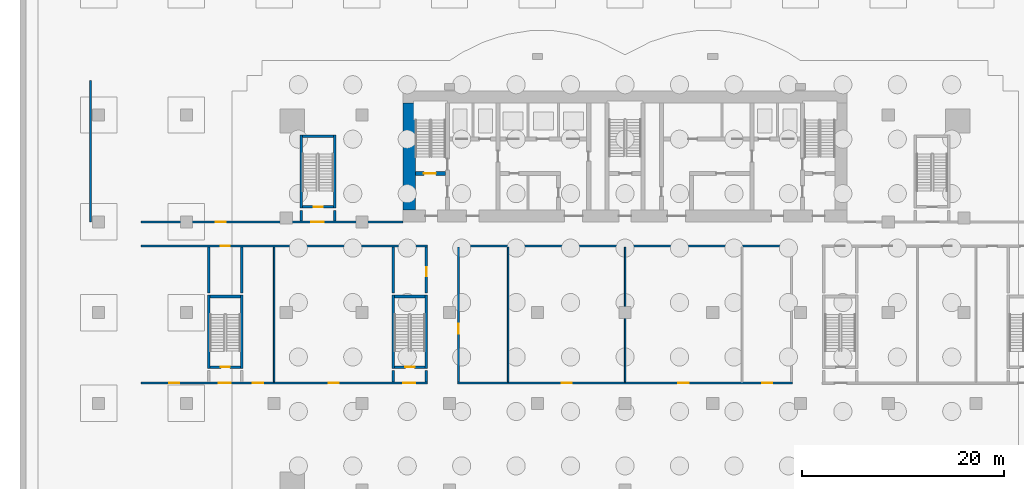
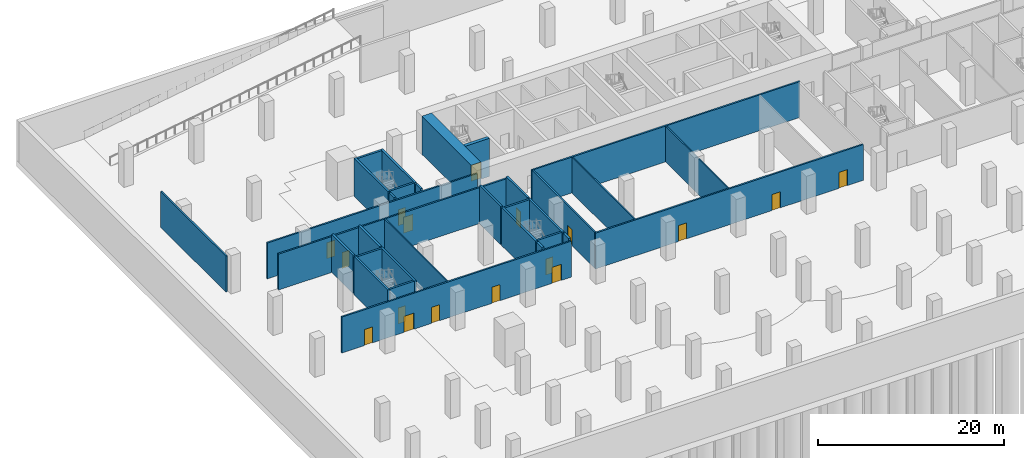
# One storey, part 3 of 10: 32 walls, 17 doors, 17 openings.
"""IFC4 building model written with IfcOpenShell, lengths in metres."""

from ifc_helpers import new_model, si_unit, direction, frame, frame_2d, origin, place, context, subcontext, project, spatial, rectangle, extrude, material, layer, layer_set, type_object, element, fill, save


model = new_model("IFC4")

# Units and contexts
model_context = context("Model", 3, precision=1e-05, world=origin(), true_north=direction((0.0, 1.0)))
body_context = subcontext(model_context, "Body", "Model", "MODEL_VIEW")
ifc_project = project(units=[si_unit("LENGTHUNIT", "METRE"), si_unit("AREAUNIT", "SQUARE_METRE"), si_unit("VOLUMEUNIT", "CUBIC_METRE"), si_unit("PLANEANGLEUNIT", "RADIAN"), si_unit("MASSUNIT", "GRAM", prefix="KILO")], contexts=[model_context])

# Site, building, storey
site_placement = place(None, origin())
site = spatial("IfcSite", under=ifc_project, at=site_placement, CompositionType="ELEMENT")
building_placement = place(site_placement, origin())
building = spatial("IfcBuilding", under=site, at=building_placement, Name="Bicima Exchange Tower", CompositionType="ELEMENT")
storey_placement = place(building_placement, frame((0.0, 0.0, -15.0)))
storey = spatial("IfcBuildingStorey", under=building, at=storey_placement, Name="B3", CompositionType="ELEMENT", Elevation=-15.0)

# Wall, openings, doors
ifc_material_1 = material(Name="Gypsum board partition")
ifc_layer_1 = layer(ifc_material_1, 0.199951171875)
ifc_layer_set_1 = layer_set([ifc_layer_1], Name="Gypsum board partition")
wall_type_1 = type_object("IfcWallType", Name="Fire-rated gypsum partition 200 EI60", PredefinedType="PARTITIONING", material=ifc_layer_set_1)
wall_1_placement = place(storey_placement, frame((-48.0, -29.0, 0.0), z_axis=(0.0, 0.0, 1.0), x_axis=(1.0, 0.0, 0.0)))
wall_1 = element("IfcWall", 1, at=wall_1_placement, inside=storey, type_object=wall_type_1, Name="partition wall 1", PredefinedType="PARTITIONING", context=body_context, shape_type="SweptSolid", body=[
    extrude(rectangle(XDim=28.425048828125, YDim=0.199951171875, at=frame_2d((14.21240234375, 0.0))), origin(), (0.0, 0.0, 1.0), 4.699951171875),
])
opening_1_placement = place(wall_1_placement, frame((7.699951171875, 0.0, 0.0)))
opening_1 = element("IfcOpeningElement", 2, at=opening_1_placement, cuts=wall_1, Name="Opening B3-001", PredefinedType="OPENING", context=body_context, shape_type="SweptSolid", body=[
    extrude(rectangle(XDim=1.199951171875, YDim=2.10009765625, at=frame_2d((0.60009765625, 1.050048828125))), frame((0.0, 0.11181640625, 0.0), z_axis=(0.0, -1.0, 0.0), x_axis=(1.0, 0.0, 0.0)), (0.0, 0.0, 1.0), 0.223876953125),
])
opening_2_placement = place(wall_1_placement, frame((26.0, 0.0, 0.0)))
opening_2 = element("IfcOpeningElement", 3, at=opening_2_placement, cuts=wall_1, Name="Opening B3-003", PredefinedType="OPENING", context=body_context, shape_type="SweptSolid", body=[
    extrude(rectangle(XDim=1.199951171875, YDim=2.10009765625, at=frame_2d((0.60009765625, 1.050048828125))), frame((0.0, 0.11181640625, 0.0), z_axis=(0.0, -1.0, 0.0), x_axis=(1.0, 0.0, 0.0)), (0.0, 0.0, 1.0), 0.223876953125),
])
opening_3_placement = place(wall_1_placement, frame((2.800048828125, 0.0, 0.0)))
opening_3 = element("IfcOpeningElement", 4, at=opening_3_placement, cuts=wall_1, Name="Opening B3-015", PredefinedType="OPENING", context=body_context, shape_type="SweptSolid", body=[
    extrude(rectangle(XDim=1.0, YDim=2.10009765625, at=frame_2d((0.5, 1.050048828125))), frame((0.0, 0.11181640625, 0.0), z_axis=(0.0, -1.0, 0.0), x_axis=(1.0, 0.0, 0.0)), (0.0, 0.0, 1.0), 0.223876953125),
])
opening_4_placement = place(wall_1_placement, frame((11.10009765625, 0.0, 0.0)))
opening_4 = element("IfcOpeningElement", 5, at=opening_4_placement, cuts=wall_1, Name="Opening B3-017", PredefinedType="OPENING", context=body_context, shape_type="SweptSolid", body=[
    extrude(rectangle(XDim=1.0, YDim=2.10009765625, at=frame_2d((0.5, 1.050048828125))), frame((0.0, 0.11181640625, 0.0), z_axis=(0.0, -1.0, 0.0), x_axis=(1.0, 0.0, 0.0)), (0.0, 0.0, 1.0), 0.223876953125),
])
opening_5_placement = place(wall_1_placement, frame((18.60009765625, 0.0, 0.0)))
opening_5 = element("IfcOpeningElement", 6, at=opening_5_placement, cuts=wall_1, Name="Opening B3-018", PredefinedType="OPENING", context=body_context, shape_type="SweptSolid", body=[
    extrude(rectangle(XDim=1.0, YDim=2.10009765625, at=frame_2d((0.5, 1.050048828125))), frame((0.0, 0.11181640625, 0.0), z_axis=(0.0, -1.0, 0.0), x_axis=(1.0, 0.0, 0.0)), (0.0, 0.0, 1.0), 0.223876953125),
])
ifc_material_2 = material(Name="Steel fire door leaf", Category="steel")
door_type_1 = type_object("IfcDoorType", Name="Door 1000 swing FD30S", OperationType="SINGLE_SWING_LEFT", PredefinedType="DOOR", material=ifc_material_2)
door_1_placement = place(opening_3_placement, origin())
door_1 = element("IfcDoor", 7, at=door_1_placement, inside=storey, type_object=door_type_1, Name="Door", OperationType="SINGLE_SWING_RIGHT", OverallHeight=2.10009765625, OverallWidth=1.0, PredefinedType="DOOR", context=body_context, shape_type="SweptSolid", body=[
    extrude(rectangle(XDim=1.0, YDim=2.10009765625, at=frame_2d((0.5, 1.050048828125))), frame((0.0, 0.02490234375, 0.0), z_axis=(0.0, -1.0, 0.0), x_axis=(1.0, 0.0, 0.0)), (0.0, 0.0, 1.0), 0.050048828125),
])
fill(opening_3, door_1)
door_2_placement = place(opening_4_placement, origin())
door_2 = element("IfcDoor", 8, at=door_2_placement, inside=storey, type_object=door_type_1, Name="Door", OperationType="SINGLE_SWING_LEFT", OverallHeight=2.10009765625, OverallWidth=1.0, PredefinedType="DOOR", context=body_context, shape_type="SweptSolid", body=[
    extrude(rectangle(XDim=1.0, YDim=2.10009765625, at=frame_2d((0.5, 1.050048828125))), frame((0.0, 0.02490234375, 0.0), z_axis=(0.0, -1.0, 0.0), x_axis=(1.0, 0.0, 0.0)), (0.0, 0.0, 1.0), 0.050048828125),
])
fill(opening_4, door_2)
door_3_placement = place(opening_5_placement, origin())
door_3 = element("IfcDoor", 9, at=door_3_placement, inside=storey, type_object=door_type_1, Name="Door", OperationType="SINGLE_SWING_RIGHT", OverallHeight=2.10009765625, OverallWidth=1.0, PredefinedType="DOOR", context=body_context, shape_type="SweptSolid", body=[
    extrude(rectangle(XDim=1.0, YDim=2.10009765625, at=frame_2d((0.5, 1.050048828125))), frame((0.0, 0.02490234375, 0.0), z_axis=(0.0, -1.0, 0.0), x_axis=(1.0, 0.0, 0.0)), (0.0, 0.0, 1.0), 0.050048828125),
])
fill(opening_5, door_3)
door_type_2 = type_object("IfcDoorType", Name="Door 1200 swing FD30S", OperationType="SINGLE_SWING_LEFT", PredefinedType="DOOR", material=ifc_material_2)
door_4_placement = place(opening_1_placement, origin())
door_4 = element("IfcDoor", 10, at=door_4_placement, inside=storey, type_object=door_type_2, Name="Door", OperationType="SINGLE_SWING_LEFT", OverallHeight=2.10009765625, OverallWidth=1.199951171875, PredefinedType="DOOR", context=body_context, shape_type="SweptSolid", body=[
    extrude(rectangle(XDim=1.199951171875, YDim=2.10009765625, at=frame_2d((0.60009765625, 1.050048828125))), frame((0.0, 0.02490234375, 0.0), z_axis=(0.0, -1.0, 0.0), x_axis=(1.0, 0.0, 0.0)), (0.0, 0.0, 1.0), 0.050048828125),
])
fill(opening_1, door_4)
door_5_placement = place(opening_2_placement, origin())
door_5 = element("IfcDoor", 11, at=door_5_placement, inside=storey, type_object=door_type_2, Name="Door", OperationType="SINGLE_SWING_RIGHT", OverallHeight=2.10009765625, OverallWidth=1.199951171875, PredefinedType="DOOR", context=body_context, shape_type="SweptSolid", body=[
    extrude(rectangle(XDim=1.199951171875, YDim=2.10009765625, at=frame_2d((0.60009765625, 1.050048828125))), frame((0.0, 0.02490234375, 0.0), z_axis=(0.0, -1.0, 0.0), x_axis=(1.0, 0.0, 0.0)), (0.0, 0.0, 1.0), 0.050048828125),
])
fill(opening_2, door_5)

wall_2_placement = place(storey_placement, frame((-16.60009765625, -29.0, 0.0), z_axis=(0.0, 0.0, 1.0), x_axis=(1.0, 0.0, 0.0)))
wall_2 = element("IfcWall", 12, at=wall_2_placement, inside=storey, type_object=wall_type_1, Name="partition wall 2", PredefinedType="PARTITIONING", context=body_context, shape_type="SweptSolid", body=[
    extrude(rectangle(XDim=33.2001953125, YDim=0.199951171875, at=frame_2d((16.60009765625, 0.0))), origin(), (0.0, 0.0, 1.0), 4.699951171875),
])
opening_6_placement = place(wall_2_placement, frame((10.300048828125, 0.0, 0.0)))
opening_6 = element("IfcOpeningElement", 13, at=opening_6_placement, cuts=wall_2, Name="Opening B3-021", PredefinedType="OPENING", context=body_context, shape_type="SweptSolid", body=[
    extrude(rectangle(XDim=1.0, YDim=2.10009765625, at=frame_2d((0.5, 1.050048828125))), frame((0.0, 0.11181640625, 0.0), z_axis=(0.0, -1.0, 0.0), x_axis=(1.0, 0.0, 0.0)), (0.0, 0.0, 1.0), 0.223876953125),
])
opening_7_placement = place(wall_2_placement, frame((21.89990234375, 0.0, 0.0)))
opening_7 = element("IfcOpeningElement", 14, at=opening_7_placement, cuts=wall_2, Name="Opening B3-022", PredefinedType="OPENING", context=body_context, shape_type="SweptSolid", body=[
    extrude(rectangle(XDim=1.0, YDim=2.10009765625, at=frame_2d((0.5, 1.050048828125))), frame((0.0, 0.11181640625, 0.0), z_axis=(0.0, -1.0, 0.0), x_axis=(1.0, 0.0, 0.0)), (0.0, 0.0, 1.0), 0.223876953125),
])
opening_8_placement = place(wall_2_placement, frame((30.199951171875, 0.0, 0.0)))
opening_8 = element("IfcOpeningElement", 15, at=opening_8_placement, cuts=wall_2, Name="Opening B3-023", PredefinedType="OPENING", context=body_context, shape_type="SweptSolid", body=[
    extrude(rectangle(XDim=1.0, YDim=2.10009765625, at=frame_2d((0.5, 1.050048828125))), frame((0.0, 0.11181640625, 0.0), z_axis=(0.0, -1.0, 0.0), x_axis=(1.0, 0.0, 0.0)), (0.0, 0.0, 1.0), 0.223876953125),
])
door_6_placement = place(opening_6_placement, origin())
door_6 = element("IfcDoor", 16, at=door_6_placement, inside=storey, type_object=door_type_1, Name="Door", OperationType="SINGLE_SWING_RIGHT", OverallHeight=2.10009765625, OverallWidth=1.0, PredefinedType="DOOR", context=body_context, shape_type="SweptSolid", body=[
    extrude(rectangle(XDim=1.0, YDim=2.10009765625, at=frame_2d((0.5, 1.050048828125))), frame((0.0, 0.02490234375, 0.0), z_axis=(0.0, -1.0, 0.0), x_axis=(1.0, 0.0, 0.0)), (0.0, 0.0, 1.0), 0.050048828125),
])
fill(opening_6, door_6)
door_7_placement = place(opening_7_placement, origin())
door_7 = element("IfcDoor", 17, at=door_7_placement, inside=storey, type_object=door_type_1, Name="Door", OperationType="SINGLE_SWING_LEFT", OverallHeight=2.10009765625, OverallWidth=1.0, PredefinedType="DOOR", context=body_context, shape_type="SweptSolid", body=[
    extrude(rectangle(XDim=1.0, YDim=2.10009765625, at=frame_2d((0.5, 1.050048828125))), frame((0.0, 0.02490234375, 0.0), z_axis=(0.0, -1.0, 0.0), x_axis=(1.0, 0.0, 0.0)), (0.0, 0.0, 1.0), 0.050048828125),
])
fill(opening_7, door_7)
door_8_placement = place(opening_8_placement, origin())
door_8 = element("IfcDoor", 18, at=door_8_placement, inside=storey, type_object=door_type_1, Name="Door", OperationType="SINGLE_SWING_LEFT", OverallHeight=2.10009765625, OverallWidth=1.0, PredefinedType="DOOR", context=body_context, shape_type="SweptSolid", body=[
    extrude(rectangle(XDim=1.0, YDim=2.10009765625, at=frame_2d((0.5, 1.050048828125))), frame((0.0, 0.02490234375, 0.0), z_axis=(0.0, -1.0, 0.0), x_axis=(1.0, 0.0, 0.0)), (0.0, 0.0, 1.0), 0.050048828125),
])
fill(opening_8, door_8)

# Wall, opening, door
wall_3_placement = place(storey_placement, frame((-48.0, -15.39990234375, 0.0), z_axis=(0.0, 0.0, 1.0), x_axis=(1.0, 0.0, 0.0)))
wall_3 = element("IfcWall", 19, at=wall_3_placement, inside=storey, type_object=wall_type_1, Name="partition wall 12", PredefinedType="PARTITIONING", context=body_context, shape_type="SweptSolid", body=[
    extrude(rectangle(XDim=28.425048828125, YDim=0.199951171875, at=frame_2d((14.21240234375, 0.0))), origin(), (0.0, 0.0, 1.0), 4.699951171875),
])
opening_9_placement = place(wall_3_placement, frame((7.89990234375, 0.0, 0.0)))
opening_9 = element("IfcOpeningElement", 20, at=opening_9_placement, cuts=wall_3, Name="Opening B3-016", PredefinedType="OPENING", context=body_context, shape_type="SweptSolid", body=[
    extrude(rectangle(XDim=0.89990234375, YDim=2.10009765625, at=frame_2d((0.449951171875, 1.050048828125))), frame((0.0, 0.11181640625, 0.0), z_axis=(0.0, -1.0, 0.0), x_axis=(1.0, 0.0, 0.0)), (0.0, 0.0, 1.0), 0.223876953125),
])
door_type_3 = type_object("IfcDoorType", Name="Door 900 swing FD30S", OperationType="SINGLE_SWING_LEFT", PredefinedType="DOOR", material=ifc_material_2)
door_9_placement = place(opening_9_placement, frame((0.89990234375, 0.0, 0.0), z_axis=(0.0, 0.0, 1.0), x_axis=(-1.0, 0.0, 0.0)))
door_9 = element("IfcDoor", 21, at=door_9_placement, inside=storey, type_object=door_type_3, Name="Door", OperationType="SINGLE_SWING_LEFT", OverallHeight=2.10009765625, OverallWidth=0.89990234375, PredefinedType="DOOR", context=body_context, shape_type="SweptSolid", body=[
    extrude(rectangle(XDim=0.89990234375, YDim=2.10009765625, at=frame_2d((0.449951171875, 1.050048828125))), frame((0.0, 0.02490234375, 0.0), z_axis=(0.0, -1.0, 0.0), x_axis=(1.0, 0.0, 0.0)), (0.0, 0.0, 1.0), 0.050048828125),
])
fill(opening_9, door_9)

# Wall
wall_4_placement = place(storey_placement, frame((-16.60009765625, -15.39990234375, 0.0), z_axis=(0.0, 0.0, 1.0), x_axis=(1.0, 0.0, 0.0)))
element("IfcWall", 22, at=wall_4_placement, inside=storey, type_object=wall_type_1, Name="partition wall 13", PredefinedType="PARTITIONING", context=body_context, shape_type="SweptSolid", body=[
    extrude(rectangle(XDim=33.2001953125, YDim=0.199951171875, at=frame_2d((16.60009765625, 0.0))), origin(), (0.0, 0.0, 1.0), 4.699951171875),
])

# Wall, openings, doors
wall_5_placement = place(storey_placement, frame((-48.0, -13.0, 0.0), z_axis=(0.0, 0.0, 1.0), x_axis=(1.0, 0.0, 0.0)))
wall_5 = element("IfcWall", 23, at=wall_5_placement, inside=storey, type_object=wall_type_1, Name="partition wall 15", PredefinedType="PARTITIONING", context=body_context, shape_type="SweptSolid", body=[
    extrude(rectangle(XDim=26.0, YDim=0.199951171875, at=frame_2d((13.0, 0.0))), origin(), (0.0, 0.0, 1.0), 4.699951171875),
])
opening_10_placement = place(wall_5_placement, frame((16.89990234375, 0.0, 0.0)))
opening_10 = element("IfcOpeningElement", 24, at=opening_10_placement, cuts=wall_5, Name="Opening B3-009", PredefinedType="OPENING", context=body_context, shape_type="SweptSolid", body=[
    extrude(rectangle(XDim=1.199951171875, YDim=2.10009765625, at=frame_2d((0.60009765625, 1.050048828125))), frame((0.0, 0.11181640625, 0.0), z_axis=(0.0, -1.0, 0.0), x_axis=(1.0, 0.0, 0.0)), (0.0, 0.0, 1.0), 0.223876953125),
])
opening_11_placement = place(wall_5_placement, frame((7.39990234375, 0.0, 0.0)))
opening_11 = element("IfcOpeningElement", 25, at=opening_11_placement, cuts=wall_5, Name="Opening B3-013", PredefinedType="OPENING", context=body_context, shape_type="SweptSolid", body=[
    extrude(rectangle(XDim=1.0, YDim=2.10009765625, at=frame_2d((0.5, 1.050048828125))), frame((0.0, 0.11181640625, 0.0), z_axis=(0.0, -1.0, 0.0), x_axis=(1.0, 0.0, 0.0)), (0.0, 0.0, 1.0), 0.223876953125),
])
door_10_placement = place(opening_11_placement, origin())
door_10 = element("IfcDoor", 26, at=door_10_placement, inside=storey, type_object=door_type_1, Name="Door", OperationType="SINGLE_SWING_LEFT", OverallHeight=2.10009765625, OverallWidth=1.0, PredefinedType="DOOR", context=body_context, shape_type="SweptSolid", body=[
    extrude(rectangle(XDim=1.0, YDim=2.10009765625, at=frame_2d((0.5, 1.050048828125))), frame((0.0, 0.02490234375, 0.0), z_axis=(0.0, -1.0, 0.0), x_axis=(1.0, 0.0, 0.0)), (0.0, 0.0, 1.0), 0.050048828125),
])
fill(opening_11, door_10)
door_11_placement = place(opening_10_placement, origin())
door_11 = element("IfcDoor", 27, at=door_11_placement, inside=storey, type_object=door_type_2, Name="Door", OperationType="SINGLE_SWING_RIGHT", OverallHeight=2.10009765625, OverallWidth=1.199951171875, PredefinedType="DOOR", context=body_context, shape_type="SweptSolid", body=[
    extrude(rectangle(XDim=1.199951171875, YDim=2.10009765625, at=frame_2d((0.60009765625, 1.050048828125))), frame((0.0, 0.02490234375, 0.0), z_axis=(0.0, -1.0, 0.0), x_axis=(1.0, 0.0, 0.0)), (0.0, 0.0, 1.0), 0.050048828125),
])
fill(opening_10, door_11)

# Wall
wall_6_placement = place(storey_placement, frame((-53.0, -13.0, 0.0), z_axis=(0.0, 0.0, 1.0), x_axis=(0.0, 1.0, 0.0)))
element("IfcWall", 28, at=wall_6_placement, inside=storey, type_object=wall_type_1, Name="partition wall 23", PredefinedType="PARTITIONING", context=body_context, shape_type="SweptSolid", body=[
    extrude(rectangle(XDim=14.0, YDim=0.199951171875, at=frame_2d((7.0, 0.0))), origin(), (0.0, 0.0, 1.0), 4.699951171875),
])

# Wall, opening, door
wall_7_placement = place(storey_placement, frame((-16.5, -28.89990234375, 0.0), z_axis=(0.0, 0.0, 1.0), x_axis=(0.0, 1.0, 0.0)))
wall_7 = element("IfcWall", 29, at=wall_7_placement, inside=storey, type_object=wall_type_1, Name="partition wall 31", PredefinedType="PARTITIONING", context=body_context, shape_type="SweptSolid", body=[
    extrude(rectangle(XDim=13.39990234375, YDim=0.199951171875, at=frame_2d((6.699951171875, 0.0))), origin(), (0.0, 0.0, 1.0), 4.699951171875),
])
opening_12_placement = place(wall_7_placement, frame((4.800048828125, 0.0, 0.0)))
opening_12 = element("IfcOpeningElement", 30, at=opening_12_placement, cuts=wall_7, Name="Opening B3-020", PredefinedType="OPENING", context=body_context, shape_type="SweptSolid", body=[
    extrude(rectangle(XDim=1.0, YDim=2.10009765625, at=frame_2d((0.5, 1.050048828125))), frame((0.0, 0.11181640625, 0.0), z_axis=(0.0, -1.0, 0.0), x_axis=(1.0, 0.0, 0.0)), (0.0, 0.0, 1.0), 0.223876953125),
])
door_12_placement = place(opening_12_placement, frame((1.0, 0.0, 0.0), z_axis=(0.0, 0.0, 1.0), x_axis=(-1.0, 0.0, 0.0)))
door_12 = element("IfcDoor", 31, at=door_12_placement, inside=storey, type_object=door_type_1, Name="Door", OperationType="SINGLE_SWING_RIGHT", OverallHeight=2.10009765625, OverallWidth=1.0, PredefinedType="DOOR", context=body_context, shape_type="SweptSolid", body=[
    extrude(rectangle(XDim=1.0, YDim=2.10009765625, at=frame_2d((0.5, 1.050048828125))), frame((0.0, 0.02490234375, 0.0), z_axis=(0.0, -1.0, 0.0), x_axis=(1.0, 0.0, 0.0)), (0.0, 0.0, 1.0), 0.050048828125),
])
fill(opening_12, door_12)

# Walls
ifc_layer_2 = layer(ifc_material_1, 0.14990234375)
ifc_layer_set_2 = layer_set([ifc_layer_2], Name="Gypsum board partition")
wall_type_2 = type_object("IfcWallType", Name="Gypsum partition 150", PredefinedType="PARTITIONING", material=ifc_layer_set_2)
for number, where, z_axis, x_axis, name in (
    (32, (-34.800048828125, -28.89990234375, 0.0), (0.0, 0.0, 1.0), (0.0, 1.0, 0.0), "partition wall 26"),
    (33, (-11.60009765625, -28.89990234375, 0.0), (0.0, 0.0, 1.0), (0.0, 1.0, 0.0), "partition wall 32"),
    (34, (0.0, -28.89990234375, 0.0), (0.0, 0.0, 1.0), (0.0, 1.0, 0.0), "partition wall 33"),
):
    element("IfcWall", number, at=place(storey_placement, frame(where, z_axis=z_axis, x_axis=x_axis)), inside=storey, type_object=wall_type_2, Name=name, PredefinedType="PARTITIONING", context=body_context, shape_type="SweptSolid", body=[
        extrude(rectangle(XDim=13.39990234375, YDim=0.14990234375, at=frame_2d((6.699951171875, 0.0))), origin(), (0.0, 0.0, 1.0), 4.699951171875),
    ])
ifc_material_3 = material(Name="Concrete C60/75", Category="concrete")
ifc_layer_3 = layer(ifc_material_3, 1.199951171875)
ifc_layer_set_3 = layer_set([ifc_layer_3], Name="Concrete C60/75")
wall_type_3 = type_object("IfcWallType", Name="RC core wall 1200 C60/75", PredefinedType="SHEAR", material=ifc_layer_set_3)
wall_8_placement = place(storey_placement, frame((-21.39990234375, -11.800048828125, 0.0), z_axis=(0.0, 0.0, 1.0), x_axis=(0.0, 1.0, 0.0)))
element("IfcWall", 35, at=wall_8_placement, inside=storey, type_object=wall_type_3, Name="Core wall west", PredefinedType="SHEAR", context=body_context, shape_type="SweptSolid", body=[
    extrude(rectangle(XDim=10.60009765625, YDim=1.199951171875, at=frame_2d((5.300048828125, 0.0))), origin(), (0.0, 0.0, 1.0), 5.0),
])
ifc_material_4 = material(Name="Concrete C50/60", Category="concrete")
ifc_layer_4 = layer(ifc_material_4, 0.25)
ifc_layer_set_4 = layer_set([ifc_layer_4], Name="Concrete C50/60")
wall_type_4 = type_object("IfcWallType", Name="RC core wall 250 C50/60", PredefinedType="SHEAR", material=ifc_layer_set_4)
for number, where, z_axis, x_axis, name in (
    (36, (-41.300048828125, -20.050048828125, 0.0), (0.0, 0.0, 1.0), (0.0, 1.0, 0.0), "stair wall 24"),
    (37, (-38.0, -20.050048828125, 0.0), (0.0, 0.0, 1.0), (0.0, 1.0, 0.0), "stair wall 25"),
):
    element("IfcWall", number, at=place(storey_placement, frame(where, z_axis=z_axis, x_axis=x_axis)), inside=storey, type_object=wall_type_4, Name=name, PredefinedType="SHEAR", context=body_context, shape_type="SweptSolid", body=[
        extrude(rectangle(XDim=4.550048828125, YDim=0.25, at=frame_2d((2.27490234375, 0.0))), origin(), (0.0, 0.0, 1.0), 5.0),
    ])
for number, where, z_axis, x_axis, name in (
    (38, (-32.10009765625, -12.89990234375, 0.0), (0.0, 0.0, 1.0), (0.0, 1.0, 0.0), "stair wall 27"),
    (39, (-28.800048828125, -12.89990234375, 0.0), (0.0, 0.0, 1.0), (0.0, 1.0, 0.0), "stair wall 28"),
):
    element("IfcWall", number, at=place(storey_placement, frame(where, z_axis=z_axis, x_axis=x_axis)), inside=storey, type_object=wall_type_4, Name=name, PredefinedType="SHEAR", context=body_context, shape_type="SweptSolid", body=[
        extrude(rectangle(XDim=1.0498046875, YDim=0.25, at=frame_2d((0.52490234375, 0.0))), origin(), (0.0, 0.0, 1.0), 5.0),
    ])
wall_9_placement = place(storey_placement, frame((-23.0, -28.89990234375, 0.0), z_axis=(0.0, 0.0, 1.0), x_axis=(0.0, 1.0, 0.0)))
element("IfcWall", 40, at=wall_9_placement, inside=storey, type_object=wall_type_4, Name="stair wall 29", PredefinedType="SHEAR", context=body_context, shape_type="SweptSolid", body=[
    extrude(rectangle(XDim=1.14990234375, YDim=0.25, at=frame_2d((0.574951171875, 0.0))), origin(), (0.0, 0.0, 1.0), 5.0),
])
wall_10_placement = place(storey_placement, frame((-23.0, -20.050048828125, 0.0), z_axis=(0.0, 0.0, 1.0), x_axis=(0.0, 1.0, 0.0)))
element("IfcWall", 41, at=wall_10_placement, inside=storey, type_object=wall_type_4, Name="stair wall 29", PredefinedType="SHEAR", context=body_context, shape_type="SweptSolid", body=[
    extrude(rectangle(XDim=4.550048828125, YDim=0.25, at=frame_2d((2.27490234375, 0.0))), origin(), (0.0, 0.0, 1.0), 5.0),
])
wall_11_placement = place(storey_placement, frame((-19.699951171875, -28.89990234375, 0.0), z_axis=(0.0, 0.0, 1.0), x_axis=(0.0, 1.0, 0.0)))
element("IfcWall", 42, at=wall_11_placement, inside=storey, type_object=wall_type_4, Name="stair wall 30", PredefinedType="SHEAR", context=body_context, shape_type="SweptSolid", body=[
    extrude(rectangle(XDim=1.14990234375, YDim=0.25, at=frame_2d((0.574951171875, 0.0))), origin(), (0.0, 0.0, 1.0), 5.0),
])

# Wall, opening, door
wall_12_placement = place(storey_placement, frame((-19.699951171875, -20.050048828125, 0.0), z_axis=(0.0, 0.0, 1.0), x_axis=(0.0, 1.0, 0.0)))
wall_12 = element("IfcWall", 43, at=wall_12_placement, inside=storey, type_object=wall_type_4, Name="stair wall 30", PredefinedType="SHEAR", context=body_context, shape_type="SweptSolid", body=[
    extrude(rectangle(XDim=4.550048828125, YDim=0.25, at=frame_2d((2.27490234375, 0.0))), origin(), (0.0, 0.0, 1.0), 5.0),
])
opening_13_placement = place(wall_12_placement, frame((1.64990234375, 0.0, 0.0)))
opening_13 = element("IfcOpeningElement", 44, at=opening_13_placement, cuts=wall_12, Name="Opening B3-019", PredefinedType="OPENING", context=body_context, shape_type="SweptSolid", body=[
    extrude(rectangle(XDim=0.89990234375, YDim=2.10009765625, at=frame_2d((0.449951171875, 1.050048828125))), frame((0.0, 0.136962890625, 0.0), z_axis=(0.0, -1.0, 0.0), x_axis=(1.0, 0.0, 0.0)), (0.0, 0.0, 1.0), 0.27392578125),
])
door_type_4 = type_object("IfcDoorType", Name="Door 900 swing FD60S", OperationType="SINGLE_SWING_LEFT", PredefinedType="DOOR", material=ifc_material_2)
door_13_placement = place(opening_13_placement, origin())
door_13 = element("IfcDoor", 45, at=door_13_placement, inside=storey, type_object=door_type_4, Name="Door", OperationType="SINGLE_SWING_LEFT", OverallHeight=2.10009765625, OverallWidth=0.89990234375, PredefinedType="DOOR", context=body_context, shape_type="SweptSolid", body=[
    extrude(rectangle(XDim=0.89990234375, YDim=2.10009765625, at=frame_2d((0.449951171875, 1.050048828125))), frame((0.0, 0.02490234375, 0.0), z_axis=(0.0, -1.0, 0.0), x_axis=(1.0, 0.0, 0.0)), (0.0, 0.0, 1.0), 0.050048828125),
])
fill(opening_13, door_13)

ifc_layer_5 = layer(ifc_material_4, 0.39990234375)
ifc_layer_set_5 = layer_set([ifc_layer_5], Name="Concrete C50/60")
wall_type_5 = type_object("IfcWallType", Name="RC core wall 400 C50/60", PredefinedType="SHEAR", material=ifc_layer_set_5)
wall_13_placement = place(storey_placement, frame((-20.800048828125, -8.199951171875, 0.0), z_axis=(0.0, 0.0, 1.0), x_axis=(1.0, 0.0, 0.0)))
wall_13 = element("IfcWall", 46, at=wall_13_placement, inside=storey, type_object=wall_type_5, Name="stair wall 1", PredefinedType="SHEAR", context=body_context, shape_type="SweptSolid", body=[
    extrude(rectangle(XDim=3.0, YDim=0.39990234375, at=frame_2d((1.5, 0.0))), origin(), (0.0, 0.0, 1.0), 5.0),
])
opening_14_placement = place(wall_13_placement, frame((0.85009765625, 0.0, 0.0)))
opening_14 = element("IfcOpeningElement", 47, at=opening_14_placement, cuts=wall_13, Name="Opening B3-C01", PredefinedType="OPENING", context=body_context, shape_type="SweptSolid", body=[
    extrude(rectangle(XDim=1.199951171875, YDim=2.10009765625, at=frame_2d((0.60009765625, 1.050048828125))), frame((0.0, 0.2119140625, 0.0), z_axis=(0.0, -1.0, 0.0), x_axis=(1.0, 0.0, 0.0)), (0.0, 0.0, 1.0), 0.423828125),
])
door_type_5 = type_object("IfcDoorType", Name="Door 1200 swing FD60S", OperationType="SINGLE_SWING_LEFT", PredefinedType="DOOR", material=ifc_material_2)
door_14_placement = place(opening_14_placement, origin())
door_14 = element("IfcDoor", 48, at=door_14_placement, inside=storey, type_object=door_type_5, Name="Core door", OperationType="SINGLE_SWING_LEFT", OverallHeight=2.10009765625, OverallWidth=1.199951171875, PredefinedType="DOOR", context=body_context, shape_type="SweptSolid", body=[
    extrude(rectangle(XDim=1.199951171875, YDim=2.10009765625, at=frame_2d((0.60009765625, 1.050048828125))), frame((0.0, 0.02490234375, 0.0), z_axis=(0.0, -1.0, 0.0), x_axis=(1.0, 0.0, 0.0)), (0.0, 0.0, 1.0), 0.050048828125),
])
fill(opening_14, door_14)

# Walls
ifc_layer_6 = layer(ifc_material_4, 0.25)
ifc_layer_set_6 = layer_set([ifc_layer_6], Name="Concrete C50/60")
wall_type_6 = type_object("IfcWallType", Name="RC stair enclosure wall 250 C50/60", PredefinedType="SHEAR", material=ifc_layer_set_6)
for number, where, z_axis, x_axis, name in (
    (49, (-32.10009765625, -11.625, 0.0), (0.0, 0.0, 1.0), (0.0, 1.0, 0.0), "West end exit stair wall W"),
    (50, (-28.800048828125, -11.625, 0.0), (0.0, 0.0, 1.0), (0.0, 1.0, 0.0), "West end exit stair wall E"),
):
    element("IfcWall", number, at=place(storey_placement, frame(where, z_axis=z_axis, x_axis=x_axis)), inside=storey, type_object=wall_type_6, Name=name, PredefinedType="SHEAR", context=body_context, shape_type="SweptSolid", body=[
        extrude(rectangle(XDim=7.25, YDim=0.25, at=frame_2d((3.625, 0.0))), origin(), (0.0, 0.0, 1.0), 5.0),
    ])

# Wall, opening, door
wall_14_placement = place(storey_placement, frame((-31.97509765625, -11.5, 0.0), z_axis=(0.0, 0.0, 1.0), x_axis=(1.0, 0.0, 0.0)))
wall_14 = element("IfcWall", 51, at=wall_14_placement, inside=storey, type_object=wall_type_6, Name="West end exit stair wall S", PredefinedType="SHEAR", context=body_context, shape_type="SweptSolid", body=[
    extrude(rectangle(XDim=3.050048828125, YDim=0.25, at=frame_2d((1.52490234375, 0.0))), origin(), (0.0, 0.0, 1.0), 5.0),
])
opening_15_placement = place(wall_14_placement, frame((1.10009765625, 0.0, 0.0)))
opening_15 = element("IfcOpeningElement", 52, at=opening_15_placement, cuts=wall_14, Name="Opening B3-010", PredefinedType="OPENING", context=body_context, shape_type="SweptSolid", body=[
    extrude(rectangle(XDim=0.89990234375, YDim=2.10009765625, at=frame_2d((0.449951171875, 1.050048828125))), frame((0.0, 0.136962890625, 0.0), z_axis=(0.0, -1.0, 0.0), x_axis=(1.0, 0.0, 0.0)), (0.0, 0.0, 1.0), 0.27392578125),
])
door_15_placement = place(opening_15_placement, origin())
door_15 = element("IfcDoor", 53, at=door_15_placement, inside=storey, type_object=door_type_4, Name="Door", OperationType="SINGLE_SWING_LEFT", OverallHeight=2.10009765625, OverallWidth=0.89990234375, PredefinedType="DOOR", context=body_context, shape_type="SweptSolid", body=[
    extrude(rectangle(XDim=0.89990234375, YDim=2.10009765625, at=frame_2d((0.449951171875, 1.050048828125))), frame((0.0, 0.02490234375, 0.0), z_axis=(0.0, -1.0, 0.0), x_axis=(1.0, 0.0, 0.0)), (0.0, 0.0, 1.0), 0.050048828125),
])
fill(opening_15, door_15)

# Walls
wall_15_placement = place(storey_placement, frame((-31.97509765625, -4.5, 0.0), z_axis=(0.0, 0.0, 1.0), x_axis=(1.0, 0.0, 0.0)))
element("IfcWall", 54, at=wall_15_placement, inside=storey, type_object=wall_type_6, Name="West end exit stair wall N", PredefinedType="SHEAR", context=body_context, shape_type="SweptSolid", body=[
    extrude(rectangle(XDim=3.050048828125, YDim=0.25, at=frame_2d((1.52490234375, 0.0))), origin(), (0.0, 0.0, 1.0), 5.0),
])
for number, where, z_axis, x_axis, name in (
    (55, (-41.300048828125, -27.52490234375, 0.0), (0.0, 0.0, 1.0), (0.0, 1.0, 0.0), "Podium west stair wall W"),
    (56, (-38.0, -27.52490234375, 0.0), (0.0, 0.0, 1.0), (0.0, 1.0, 0.0), "Podium west stair wall E"),
):
    element("IfcWall", number, at=place(storey_placement, frame(where, z_axis=z_axis, x_axis=x_axis)), inside=storey, type_object=wall_type_6, Name=name, PredefinedType="SHEAR", context=body_context, shape_type="SweptSolid", body=[
        extrude(rectangle(XDim=7.25, YDim=0.25, at=frame_2d((3.625, 0.0))), origin(), (0.0, 0.0, 1.0), 5.0),
    ])

# Wall, opening, door
wall_16_placement = place(storey_placement, frame((-41.175048828125, -27.39990234375, 0.0), z_axis=(0.0, 0.0, 1.0), x_axis=(1.0, 0.0, 0.0)))
wall_16 = element("IfcWall", 57, at=wall_16_placement, inside=storey, type_object=wall_type_6, Name="Podium west stair wall S", PredefinedType="SHEAR", context=body_context, shape_type="SweptSolid", body=[
    extrude(rectangle(XDim=3.050048828125, YDim=0.25, at=frame_2d((1.52490234375, 0.0))), origin(), (0.0, 0.0, 1.0), 5.0),
])
opening_16_placement = place(wall_16_placement, frame((1.10009765625, 0.0, 0.0)))
opening_16 = element("IfcOpeningElement", 58, at=opening_16_placement, cuts=wall_16, Name="Opening B3-002", PredefinedType="OPENING", context=body_context, shape_type="SweptSolid", body=[
    extrude(rectangle(XDim=0.89990234375, YDim=2.10009765625, at=frame_2d((0.449951171875, 1.050048828125))), frame((0.0, 0.136962890625, 0.0), z_axis=(0.0, -1.0, 0.0), x_axis=(1.0, 0.0, 0.0)), (0.0, 0.0, 1.0), 0.27392578125),
])
door_16_placement = place(opening_16_placement, origin())
door_16 = element("IfcDoor", 59, at=door_16_placement, inside=storey, type_object=door_type_4, Name="Door", OperationType="SINGLE_SWING_LEFT", OverallHeight=2.10009765625, OverallWidth=0.89990234375, PredefinedType="DOOR", context=body_context, shape_type="SweptSolid", body=[
    extrude(rectangle(XDim=0.89990234375, YDim=2.10009765625, at=frame_2d((0.449951171875, 1.050048828125))), frame((0.0, 0.02490234375, 0.0), z_axis=(0.0, -1.0, 0.0), x_axis=(1.0, 0.0, 0.0)), (0.0, 0.0, 1.0), 0.050048828125),
])
fill(opening_16, door_16)

# Walls
wall_17_placement = place(storey_placement, frame((-41.175048828125, -20.39990234375, 0.0), z_axis=(0.0, 0.0, 1.0), x_axis=(1.0, 0.0, 0.0)))
element("IfcWall", 60, at=wall_17_placement, inside=storey, type_object=wall_type_6, Name="Podium west stair wall N", PredefinedType="SHEAR", context=body_context, shape_type="SweptSolid", body=[
    extrude(rectangle(XDim=3.050048828125, YDim=0.25, at=frame_2d((1.52490234375, 0.0))), origin(), (0.0, 0.0, 1.0), 5.0),
])
for number, where, z_axis, x_axis, name in (
    (61, (-23.0, -27.52490234375, 0.0), (0.0, 0.0, 1.0), (0.0, 1.0, 0.0), "Podium inner west stair wall W"),
    (62, (-19.699951171875, -27.52490234375, 0.0), (0.0, 0.0, 1.0), (0.0, 1.0, 0.0), "Podium inner west stair wall E"),
):
    element("IfcWall", number, at=place(storey_placement, frame(where, z_axis=z_axis, x_axis=x_axis)), inside=storey, type_object=wall_type_6, Name=name, PredefinedType="SHEAR", context=body_context, shape_type="SweptSolid", body=[
        extrude(rectangle(XDim=7.25, YDim=0.25, at=frame_2d((3.625, 0.0))), origin(), (0.0, 0.0, 1.0), 5.0),
    ])

# Wall, opening, door
wall_18_placement = place(storey_placement, frame((-22.875, -27.39990234375, 0.0), z_axis=(0.0, 0.0, 1.0), x_axis=(1.0, 0.0, 0.0)))
wall_18 = element("IfcWall", 63, at=wall_18_placement, inside=storey, type_object=wall_type_6, Name="Podium inner west stair wall S", PredefinedType="SHEAR", context=body_context, shape_type="SweptSolid", body=[
    extrude(rectangle(XDim=3.050048828125, YDim=0.25, at=frame_2d((1.52490234375, 0.0))), origin(), (0.0, 0.0, 1.0), 5.0),
])
opening_17_placement = place(wall_18_placement, frame((1.10009765625, 0.0, 0.0)))
opening_17 = element("IfcOpeningElement", 64, at=opening_17_placement, cuts=wall_18, Name="Opening B3-004", PredefinedType="OPENING", context=body_context, shape_type="SweptSolid", body=[
    extrude(rectangle(XDim=0.89990234375, YDim=2.10009765625, at=frame_2d((0.449951171875, 1.050048828125))), frame((0.0, 0.136962890625, 0.0), z_axis=(0.0, -1.0, 0.0), x_axis=(1.0, 0.0, 0.0)), (0.0, 0.0, 1.0), 0.27392578125),
])
door_17_placement = place(opening_17_placement, origin())
door_17 = element("IfcDoor", 65, at=door_17_placement, inside=storey, type_object=door_type_4, Name="Door", OperationType="SINGLE_SWING_LEFT", OverallHeight=2.10009765625, OverallWidth=0.89990234375, PredefinedType="DOOR", context=body_context, shape_type="SweptSolid", body=[
    extrude(rectangle(XDim=0.89990234375, YDim=2.10009765625, at=frame_2d((0.449951171875, 1.050048828125))), frame((0.0, 0.02490234375, 0.0), z_axis=(0.0, -1.0, 0.0), x_axis=(1.0, 0.0, 0.0)), (0.0, 0.0, 1.0), 0.050048828125),
])
fill(opening_17, door_17)

# Wall
wall_19_placement = place(storey_placement, frame((-22.875, -20.39990234375, 0.0), z_axis=(0.0, 0.0, 1.0), x_axis=(1.0, 0.0, 0.0)))
element("IfcWall", 66, at=wall_19_placement, inside=storey, type_object=wall_type_6, Name="Podium inner west stair wall N", PredefinedType="SHEAR", context=body_context, shape_type="SweptSolid", body=[
    extrude(rectangle(XDim=3.050048828125, YDim=0.25, at=frame_2d((1.52490234375, 0.0))), origin(), (0.0, 0.0, 1.0), 5.0),
])

save(model, "model.ifc")
